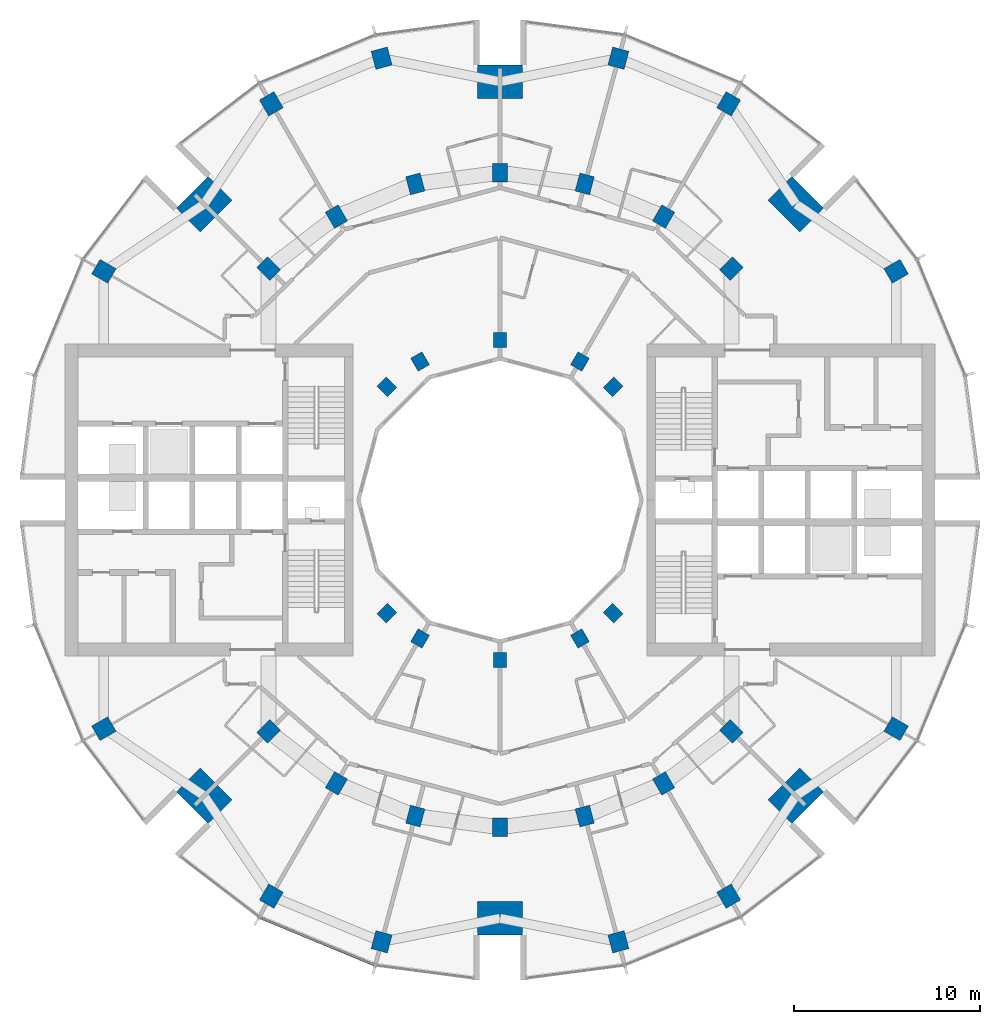
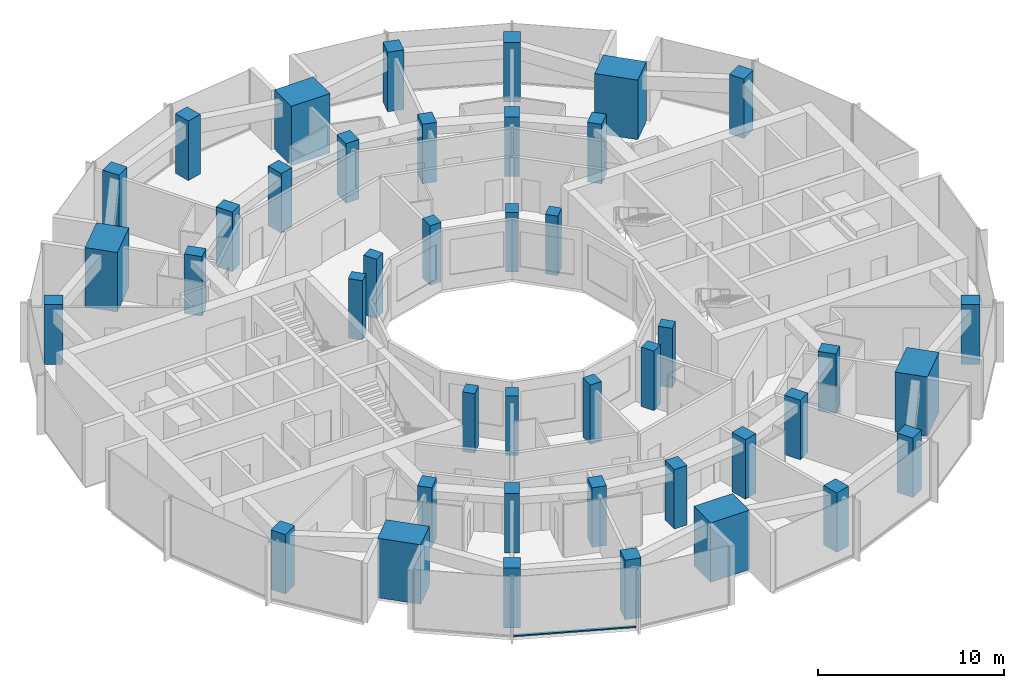
# One storey, part 1 of 15: 42 columns, 1 member, 1 element without a shape of its own.
"""IFC4 building model written with IfcOpenShell, lengths in metres."""

import ifcopenshell
import ifcopenshell.guid

model = None  # the IFC model being written
_history = None  # IfcOwnerHistory: only IFC2X3 demands one
_inside = {}  # id of a spatial element -> (the spatial element, [elements in it])
_under = {}  # id of a project, library or spatial element -> (it, [spatial elements below it])
_declared = {}  # id of a project -> (the project, [libraries it declares])
_typed = {}  # id of a type object -> (the type object, [elements of that type])
_made_of = {}  # id of a material, layer set ... -> (it, [elements and type objects made of it])


def new_model(schema):
    """Start an empty IFC model of exactly this schema.

    Asked for "IFC4X3", IfcOpenShell would pick the latest addendum, in which some entities
    have other attributes; the version numbers below select the first issue.
    IFC2X3 requires an IfcOwnerHistory on every rooted entity: one is made here for all.
    """
    global model, _history
    if schema == "IFC4X3":
        model = ifcopenshell.file(schema_version=(4, 3, 0, 0))
    else:
        model = ifcopenshell.file(schema=schema)
    _inside.clear()
    _under.clear()
    _declared.clear()
    _typed.clear()
    _made_of.clear()
    _history = None
    if model.schema == "IFC2X3":
        org = make("IfcOrganization", Name="unknown")
        user = make(
            "IfcPersonAndOrganization",
            ThePerson=make("IfcPerson", FamilyName="unknown"),
            TheOrganization=org,
        )
        app = make(
            "IfcApplication",
            ApplicationDeveloper=org,
            Version="unknown",
            ApplicationFullName="unknown",
            ApplicationIdentifier="unknown",
        )
        _history = make(
            "IfcOwnerHistory",
            OwningUser=user,
            OwningApplication=app,
            ChangeAction="ADDED",
            CreationDate=0,
        )
    return model


def make(cls, **values):
    """One entity of the class cls with the attributes given. An attribute that is None is left unset."""
    return model.create_entity(
        cls, **{name: value for name, value in values.items() if value is not None}
    )


def rooted(cls, **values):
    """An entity with a GlobalId (a new one), such as an element, a storey or a relation."""
    return make(cls, GlobalId=ifcopenshell.guid.new(), OwnerHistory=_history, **values)


def si_unit(unit_type, name, prefix=None):
    """IfcSIUnit, for example si_unit("LENGTHUNIT", "METRE", prefix="MILLI")."""
    return make("IfcSIUnit", UnitType=unit_type, Prefix=prefix, Name=name)


def assignment(units):
    """IfcUnitAssignment: the units of a project."""
    return None if units is None else make("IfcUnitAssignment", Units=units)


def point(xyz):
    """IfcCartesianPoint."""
    return None if xyz is None else make("IfcCartesianPoint", Coordinates=xyz)


def direction(xyz):
    """IfcDirection."""
    return None if xyz is None else make("IfcDirection", DirectionRatios=xyz)


def frame(location, z_axis=None, x_axis=None):
    """IfcAxis2Placement3D, a coordinate frame: its origin and axes. An axis left out is left unset."""
    return make(
        "IfcAxis2Placement3D",
        Location=point(location),
        Axis=direction(z_axis),
        RefDirection=direction(x_axis),
    )


def frame_2d(location, x_axis=None):
    """IfcAxis2Placement2D, a coordinate frame in the plane: its origin and x axis."""
    return make(
        "IfcAxis2Placement2D", Location=point(location), RefDirection=direction(x_axis)
    )


def origin():
    """The frame at (0, 0, 0) with its axes left unset."""
    return frame((0.0, 0.0, 0.0))


def origin_2d():
    """The frame at (0, 0) in the plane with its x axis left unset."""
    return frame_2d((0.0, 0.0))


def place(relative_to, where):
    """IfcLocalPlacement: puts the frame where relative to a parent placement (None: the world)."""
    return make(
        "IfcLocalPlacement", PlacementRelTo=relative_to, RelativePlacement=where
    )


def context(
    kind, dimensions, precision=None, world=None, true_north=None, identifier=None
):
    """IfcGeometricRepresentationContext, for example the 3D "Model" context."""
    return make(
        "IfcGeometricRepresentationContext",
        ContextIdentifier=identifier,
        ContextType=kind,
        CoordinateSpaceDimension=dimensions,
        Precision=precision,
        WorldCoordinateSystem=world,
        TrueNorth=true_north,
    )


def subcontext(parent, identifier, kind, view, scale=None):
    """IfcGeometricRepresentationSubContext, for example "Body" below "Model"."""
    return make(
        "IfcGeometricRepresentationSubContext",
        ContextIdentifier=identifier,
        ContextType=kind,
        ParentContext=parent,
        TargetScale=scale,
        TargetView=view,
    )


def project(units=None, contexts=None):
    """IfcProject with its units and contexts."""
    return rooted(
        "IfcProject",
        Name="project",
        RepresentationContexts=contexts,
        UnitsInContext=assignment(units),
    )


def spatial(cls, under=None, at=None, **own):
    """A site, building, storey or space (cls), placed at a placement, below another one or the project."""
    s = rooted(cls, ObjectPlacement=at, **own)
    if under is not None:
        _under.setdefault(under.id(), (under, []))[1].append(s)
    return s


def profile(cls, at=None, kind="AREA", **sizes):
    """A parametric profile (cls). Its sizes go by their IFC names, for example OverallWidth=200.0."""
    return make(cls, ProfileType=kind, Position=at, **sizes)


def rectangle(**sizes):
    """IfcRectangleProfileDef."""
    return profile("IfcRectangleProfileDef", **sizes)


def extrude(swept, where, along, depth):
    """IfcExtrudedAreaSolid: the profile swept, set in the frame where, extruded along a direction by depth."""
    return make(
        "IfcExtrudedAreaSolid",
        SweptArea=swept,
        Position=where,
        ExtrudedDirection=direction(along),
        Depth=depth,
    )


def shape(context_of_items, identifier, shape_type, items):
    """IfcShapeRepresentation: the items that make up one representation, for example the "Body"."""
    return make(
        "IfcShapeRepresentation",
        ContextOfItems=context_of_items,
        RepresentationIdentifier=identifier,
        RepresentationType=shape_type,
        Items=items,
    )


def material(Name=None, Category=None):
    """IfcMaterial."""
    return make("IfcMaterial", Name=Name, Category=Category)


def layer(
    of_material, thickness, ventilated=None, Name=None, Category=None, Priority=None
):
    """IfcMaterialLayer: one layer of a wall or slab, of a material (None: an air gap)."""
    return make(
        "IfcMaterialLayer",
        Material=of_material,
        LayerThickness=thickness,
        IsVentilated=ventilated,
        Name=Name,
        Category=Category,
        Priority=Priority,
    )


def layer_set(layers, Name=None):
    """IfcMaterialLayerSet."""
    return make("IfcMaterialLayerSet", MaterialLayers=layers, LayerSetName=Name)


def material_profile(
    of_material, cross_section, Name=None, Category=None, Priority=None
):
    """IfcMaterialProfile: a cross section and its material."""
    return make(
        "IfcMaterialProfile",
        Name=Name,
        Material=of_material,
        Profile=cross_section,
        Priority=Priority,
        Category=Category,
    )


def profile_set(profiles, Name=None, composite=None):
    """IfcMaterialProfileSet."""
    return make(
        "IfcMaterialProfileSet",
        Name=Name,
        MaterialProfiles=profiles,
        CompositeProfile=composite,
    )


def made_of(thing, what):
    """Note that an element or type object is made of a material, layer set ...; save() writes the relation."""
    if what is not None:
        _made_of.setdefault(what.id(), (what, []))[1].append(thing)
    return thing


def type_object(cls, material=None, **own):
    """A type object (cls), such as IfcWallType, which elements share."""
    return made_of(rooted(cls, **own), material)


def element(
    cls,
    number,
    at=None,
    inside=None,
    cuts=None,
    type_object=None,
    material=None,
    context=None,
    identifier="Body",
    shape_type=None,
    held_by="IfcProductDefinitionShape",
    body=None,
    shapes=None,
    **own,
):
    """One element of the class cls, such as IfcWall. Its Tag is "e" and its number.

    at: its placement. inside: the storey or other place that contains it. cuts: it is an
    opening in that element (IfcRelVoidsElement). A single representation is given by context,
    identifier, shape_type and body (its items); several are given by shapes. held_by: the class
    of the entity that holds the representations. save() writes the other relations.
    """
    e = rooted(cls, Tag="e%d" % number, ObjectPlacement=at, **own)
    if body is not None:
        shapes = [shape(context, identifier, shape_type, body)]
    if shapes is not None:
        e.Representation = make(held_by, Representations=shapes)
    if inside is not None:
        _inside.setdefault(inside.id(), (inside, []))[1].append(e)
    if cuts is not None:
        rooted(
            "IfcRelVoidsElement", RelatingBuildingElement=cuts, RelatedOpeningElement=e
        )
    if type_object is not None:
        _typed.setdefault(type_object.id(), (type_object, []))[1].append(e)
    return made_of(e, material)


def aggregate(whole, parts):
    """IfcRelAggregates: a whole, such as a stair, and the parts it consists of."""
    return rooted("IfcRelAggregates", RelatingObject=whole, RelatedObjects=parts)


def save(model, path):
    """Write the relations noted so far, then the file.

    IfcRelAggregates (storeys below a building ...), IfcRelContainedInSpatialStructure (elements
    in a storey), IfcRelDefinesByType, IfcRelAssociatesMaterial and IfcRelDeclares: one each for
    every whole, place, type object, material and project.
    """
    for whole, parts in _under.values():
        aggregate(whole, parts)
    for where, things in _inside.values():
        rooted(
            "IfcRelContainedInSpatialStructure",
            RelatedElements=things,
            RelatingStructure=where,
        )
    for kind, things in _typed.values():
        rooted("IfcRelDefinesByType", RelatedObjects=things, RelatingType=kind)
    for what, things in _made_of.values():
        rooted("IfcRelAssociatesMaterial", RelatedObjects=things, RelatingMaterial=what)
    for by, libraries in _declared.values():
        rooted("IfcRelDeclares", RelatingContext=by, RelatedDefinitions=libraries)
    model.write(path)


model = new_model("IFC4")

# Units and contexts
model_context = context("Model", 3, precision=1e-05, world=origin(), true_north=direction((0.0, 1.0)))
body_context = subcontext(model_context, "Body", "Model", "MODEL_VIEW")
ifc_project = project(units=[si_unit("LENGTHUNIT", "METRE"), si_unit("AREAUNIT", "SQUARE_METRE"), si_unit("VOLUMEUNIT", "CUBIC_METRE"), si_unit("PLANEANGLEUNIT", "RADIAN"), si_unit("MASSUNIT", "GRAM", prefix="KILO")], contexts=[model_context])

# Site, building, storey
site_placement = place(None, origin())
site = spatial("IfcSite", under=ifc_project, at=site_placement, CompositionType="ELEMENT")
building_placement = place(site_placement, origin())
building = spatial("IfcBuilding", under=site, at=building_placement, Name="Torre Brocal", CompositionType="ELEMENT")
storey_placement = place(building_placement, frame((0.0, 0.0, 114.60009765625)))
storey = spatial("IfcBuildingStorey", under=building, at=storey_placement, Name="L26", CompositionType="ELEMENT", Elevation=114.60009765625)

# Columns
ifc_material_1 = material(Name="Concrete C70", Category="concrete")
ifc_material_profile_1 = material_profile(ifc_material_1, rectangle(XDim=1.0, YDim=0.800048828125, at=origin_2d()), Name="RC 1000X800")
ifc_profile_set_1 = profile_set([ifc_material_profile_1], Name="Concrete C70")
column_type_1 = type_object("IfcColumnType", Name="RC COLUMN 1000X800 C70", PredefinedType="COLUMN", material=ifc_profile_set_1)
for number, where, z_axis, x_axis, name in (
    (1, (92.445068359375, 87.445068359375, 0.0), (0.0, 0.0, 1.0), (0.707106781187, 0.707106781187, 0.0), "Column C-M03"),
    (2, (88.800048828125, 90.241943359375, 0.0), (0.0, 0.0, 1.0), (0.5, 0.866025403784, 0.0), "Column C-M04"),
    (3, (84.55517578125, 92.000244140625, 0.0), (0.0, 0.0, 1.0), (0.258819045103, 0.965925826289, 0.0), "Column C-M05"),
    (4, (80.0, 92.60009765625, 0.0), (0.0, 0.0, 1.0), (0.0, 1.0, 0.0), "Column C-M06"),
    (5, (75.44482421875, 92.000244140625, 0.0), (0.0, 0.0, 1.0), (-0.258819045103, 0.965925826289, 0.0), "Column C-M07"),
    (6, (71.199951171875, 90.241943359375, 0.0), (0.0, 0.0, 1.0), (-0.5, 0.866025403784, 0.0), "Column C-M08"),
    (7, (67.554931640625, 87.445068359375, 0.0), (0.0, 0.0, 1.0), (-0.707106781187, 0.707106781187, 0.0), "Column C-M09"),
    (8, (67.554931640625, 62.554931640625, 0.0), (0.0, 0.0, 1.0), (-0.707106781187, -0.707106781187, 0.0), "Column C-M15"),
    (9, (71.199951171875, 59.758056640625, 0.0), (0.0, 0.0, 1.0), (-0.5, -0.866025403784, 0.0), "Column C-M16"),
    (10, (75.44482421875, 57.999755859375, 0.0), (0.0, 0.0, 1.0), (-0.258819045103, -0.965925826289, 0.0), "Column C-M17"),
    (11, (80.0, 57.39990234375, 0.0), (0.0, 0.0, 1.0), (0.0, -1.0, 0.0), "Column C-M18"),
    (12, (84.55517578125, 57.999755859375, 0.0), (0.0, 0.0, 1.0), (0.258819045103, -0.965925826289, 0.0), "Column C-M19"),
    (13, (88.800048828125, 59.758056640625, 0.0), (0.0, 0.0, 1.0), (0.5, -0.866025403784, 0.0), "Column C-M20"),
    (14, (92.445068359375, 62.554931640625, 0.0), (0.0, 0.0, 1.0), (0.707106781187, -0.707106781187, 0.0), "Column C-M21"),
):
    element("IfcColumn", number, at=place(storey_placement, frame(where, z_axis=z_axis, x_axis=x_axis)), inside=storey, type_object=column_type_1, Name=name, PredefinedType="COLUMN", context=body_context, shape_type="SweptSolid", body=[
        extrude(rectangle(XDim=1.0, YDim=0.800048828125, at=origin_2d()), origin(), (0.0, 0.0, 1.0), 3.89990234375),
    ])
ifc_material_2 = material(Name="Concrete C70", Category="concrete")
ifc_material_profile_2 = material_profile(ifc_material_2, rectangle(XDim=1.0, YDim=0.89990234375, at=origin_2d()), Name="RC 1000X900")
ifc_profile_set_2 = profile_set([ifc_material_profile_2], Name="Concrete C70")
column_type_2 = type_object("IfcColumnType", Name="RC COLUMN 1000X900 C70", PredefinedType="COLUMN", material=ifc_profile_set_2)
for number, where, z_axis, x_axis, name in (
    (15, (101.30419921875, 87.300048828125, 0.0), (0.0, 0.0, 1.0), (0.866025403784, 0.5, 0.0), "Column C-O02"),
    (16, (92.300048828125, 96.30419921875, 0.0), (0.0, 0.0, 1.0), (0.5, 0.866025403784, 0.0), "Column C-O04"),
    (17, (86.366943359375, 98.76171875, 0.0), (0.0, 0.0, 1.0), (0.258819045103, 0.965925826289, 0.0), "Column C-O05"),
    (18, (73.633056640625, 98.76171875, 0.0), (0.0, 0.0, 1.0), (-0.258819045103, 0.965925826289, 0.0), "Column C-O07"),
    (19, (67.699951171875, 96.30419921875, 0.0), (0.0, 0.0, 1.0), (-0.5, 0.866025403784, 0.0), "Column C-O08"),
    (20, (58.69580078125, 87.300048828125, 0.0), (0.0, 0.0, 1.0), (-0.866025403784, 0.5, 0.0), "Column C-O10"),
    (21, (58.69580078125, 62.699951171875, 0.0), (0.0, 0.0, 1.0), (-0.866025403784, -0.5, 0.0), "Column C-O14"),
    (22, (67.699951171875, 53.69580078125, 0.0), (0.0, 0.0, 1.0), (-0.5, -0.866025403784, 0.0), "Column C-O16"),
    (23, (73.633056640625, 51.23828125, 0.0), (0.0, 0.0, 1.0), (-0.258819045103, -0.965925826289, 0.0), "Column C-O17"),
    (24, (86.366943359375, 51.23828125, 0.0), (0.0, 0.0, 1.0), (0.258819045103, -0.965925826289, 0.0), "Column C-O19"),
    (25, (92.300048828125, 53.69580078125, 0.0), (0.0, 0.0, 1.0), (0.5, -0.866025403784, 0.0), "Column C-O20"),
    (26, (101.30419921875, 62.699951171875, 0.0), (0.0, 0.0, 1.0), (0.866025403784, -0.5, 0.0), "Column C-O22"),
):
    element("IfcColumn", number, at=place(storey_placement, frame(where, z_axis=z_axis, x_axis=x_axis)), inside=storey, type_object=column_type_2, Name=name, PredefinedType="COLUMN", context=body_context, shape_type="SweptSolid", body=[
        extrude(rectangle(XDim=1.0, YDim=0.89990234375, at=origin_2d()), origin(), (0.0, 0.0, 1.0), 3.89990234375),
    ])
ifc_material_3 = material(Name="Concrete C70", Category="concrete")
ifc_material_profile_3 = material_profile(ifc_material_3, rectangle(XDim=1.800048828125, YDim=2.39990234375, at=origin_2d()), Name="RC 1800X2400")
ifc_profile_set_3 = profile_set([ifc_material_profile_3], Name="Concrete C70")
column_type_3 = type_object("IfcColumnType", Name="RC COLUMN 1800X2400 C70", PredefinedType="COLUMN", material=ifc_profile_set_3)
for number, where, z_axis, x_axis, name in (
    (27, (95.909912109375, 90.909912109375, 0.0), (0.0, 0.0, 1.0), (0.707106781187, 0.707106781187, 0.0), "Column MC-1"),
    (28, (80.0, 97.5, 0.0), (0.0, 0.0, 1.0), (0.0, 1.0, 0.0), "Column MC-2"),
    (29, (64.090087890625, 90.909912109375, 0.0), (0.0, 0.0, 1.0), (-0.707106781187, 0.707106781187, 0.0), "Column MC-3"),
    (30, (64.090087890625, 59.090087890625, 0.0), (0.0, 0.0, 1.0), (-0.707106781187, -0.707106781187, 0.0), "Column MC-5"),
    (31, (80.0, 52.5, 0.0), (0.0, 0.0, 1.0), (0.0, -1.0, 0.0), "Column MC-6"),
    (32, (95.909912109375, 59.090087890625, 0.0), (0.0, 0.0, 1.0), (0.707106781187, -0.707106781187, 0.0), "Column MC-7"),
):
    element("IfcColumn", number, at=place(storey_placement, frame(where, z_axis=z_axis, x_axis=x_axis)), inside=storey, type_object=column_type_3, Name=name, PredefinedType="COLUMN", context=body_context, shape_type="SweptSolid", body=[
        extrude(rectangle(XDim=1.800048828125, YDim=2.39990234375, at=origin_2d()), origin(), (0.0, 0.0, 1.0), 3.89990234375),
    ])
ifc_material_4 = material(Name="Concrete C70", Category="concrete")
ifc_material_profile_4 = material_profile(ifc_material_4, rectangle(XDim=0.800048828125, YDim=0.699951171875, at=origin_2d()), Name="RC 800X700")
ifc_profile_set_4 = profile_set([ifc_material_profile_4], Name="Concrete C70")
column_type_4 = type_object("IfcColumnType", Name="RC COLUMN 800X700 C70", PredefinedType="COLUMN", material=ifc_profile_set_4)
for number, where, z_axis, x_axis, name in (
    (33, (86.0810546875, 81.0810546875, 0.0), (0.0, 0.0, 1.0), (0.707106781187, 0.707106781187, 0.0), "Column C-I03"),
    (34, (84.300048828125, 82.44775390625, 0.0), (0.0, 0.0, 1.0), (0.5, 0.866025403784, 0.0), "Column C-I04"),
    (35, (80.0, 83.60009765625, 0.0), (0.0, 0.0, 1.0), (0.0, 1.0, 0.0), "Column C-I06"),
    (36, (75.699951171875, 82.44775390625, 0.0), (0.0, 0.0, 1.0), (-0.5, 0.866025403784, 0.0), "Column C-I08"),
    (37, (73.9189453125, 81.0810546875, 0.0), (0.0, 0.0, 1.0), (-0.707106781187, 0.707106781187, 0.0), "Column C-I09"),
    (38, (73.9189453125, 68.9189453125, 0.0), (0.0, 0.0, 1.0), (-0.707106781187, -0.707106781187, 0.0), "Column C-I15"),
    (39, (75.699951171875, 67.55224609375, 0.0), (0.0, 0.0, 1.0), (-0.5, -0.866025403784, 0.0), "Column C-I16"),
    (40, (80.0, 66.39990234375, 0.0), (0.0, 0.0, 1.0), (0.0, -1.0, 0.0), "Column C-I18"),
    (41, (84.300048828125, 67.55224609375, 0.0), (0.0, 0.0, 1.0), (0.5, -0.866025403784, 0.0), "Column C-I20"),
    (42, (86.0810546875, 68.9189453125, 0.0), (0.0, 0.0, 1.0), (0.707106781187, -0.707106781187, 0.0), "Column C-I21"),
):
    element("IfcColumn", number, at=place(storey_placement, frame(where, z_axis=z_axis, x_axis=x_axis)), inside=storey, type_object=column_type_4, Name=name, PredefinedType="COLUMN", context=body_context, shape_type="SweptSolid", body=[
        extrude(rectangle(XDim=0.800048828125, YDim=0.699951171875, at=origin_2d()), origin(), (0.0, 0.0, 1.0), 3.89990234375),
    ])

# Curtain wall, member
ifc_material_5 = material(Name="Aluminium and glass", Category="aluminium")
ifc_layer = layer(ifc_material_5, 0.199951171875)
ifc_layer_set = layer_set([ifc_layer], Name="Aluminium and glass")
curtain_wall_type = type_object("IfcCurtainWallType", Name="CW-1 CURTAIN WALL 3900 HIGH", PredefinedType="NOTDEFINED", material=ifc_layer_set)
curtain_wall_placement = place(storey_placement, origin())
curtain_wall = element("IfcCurtainWall", 43, at=curtain_wall_placement, inside=storey, type_object=curtain_wall_type, Name="CW-1 RUN 17", PredefinedType="NOTDEFINED")
ifc_material_6 = material(Name="Aluminium, dark anodised", Category="aluminium")
ifc_material_profile_5 = material_profile(ifc_material_6, rectangle(XDim=0.159912109375, YDim=0.080078125, at=origin_2d()), Name="CW-1 TRANSOM 160X80")
ifc_profile_set_5 = profile_set([ifc_material_profile_5], Name="Aluminium, dark anodised")
member_type = type_object("IfcMemberType", Name="CW-1 TRANSOM 160X80", PredefinedType="USERDEFINED", material=ifc_profile_set_5)
member_placement = place(storey_placement, frame((67.10595703125, 52.547607421875, 0.039794921875), z_axis=(0.923887344364, -0.38266457234, 0.0), x_axis=(0.38266457234, 0.923887344364, 0.0)))
member = element("IfcMember", 44, at=member_placement, type_object=member_type, Name="CW1-3 transom 1.1", ObjectType="TRANSOM", PredefinedType="USERDEFINED", context=body_context, shape_type="SweptSolid", body=[
    extrude(rectangle(XDim=0.159912109375, YDim=0.080078125, at=origin_2d()), origin(), (0.0, 0.0, 1.0), 6.640869140625),
])
aggregate(curtain_wall, [member])

save(model, "model.ifc")
